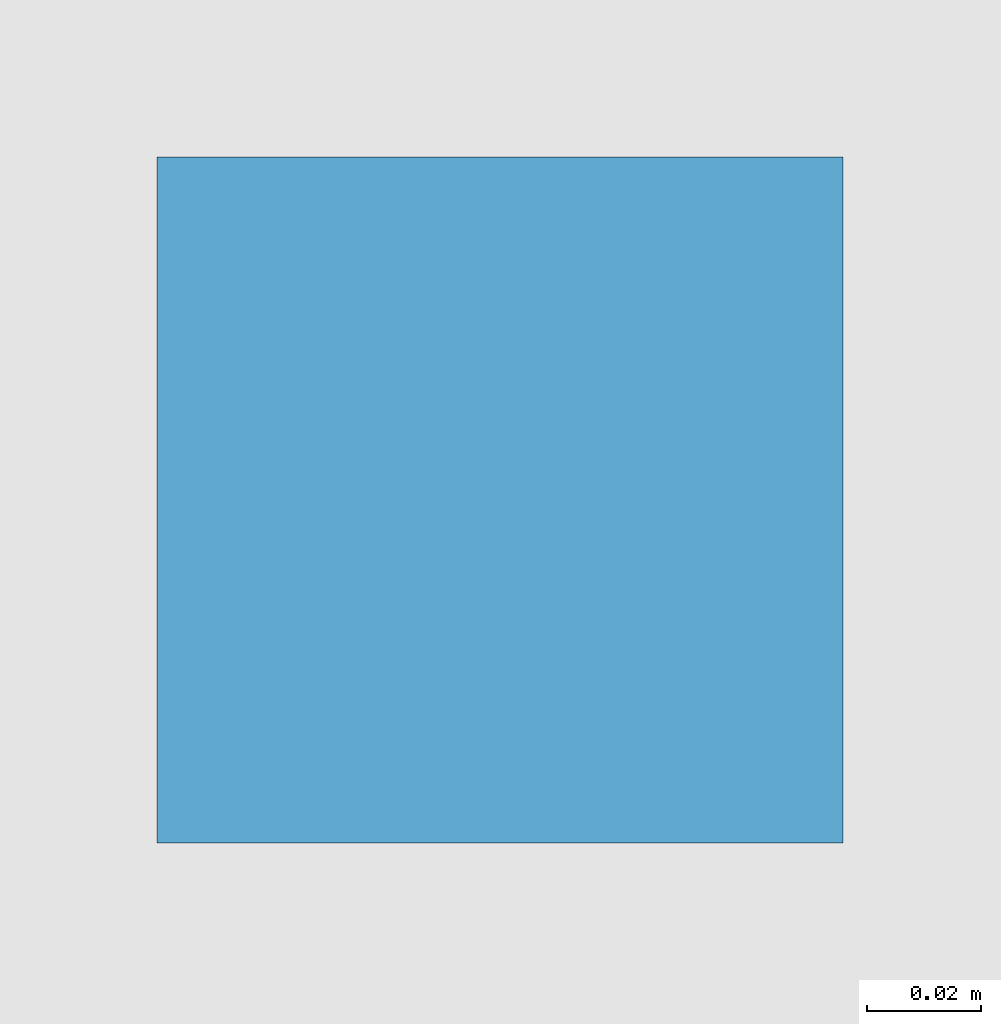
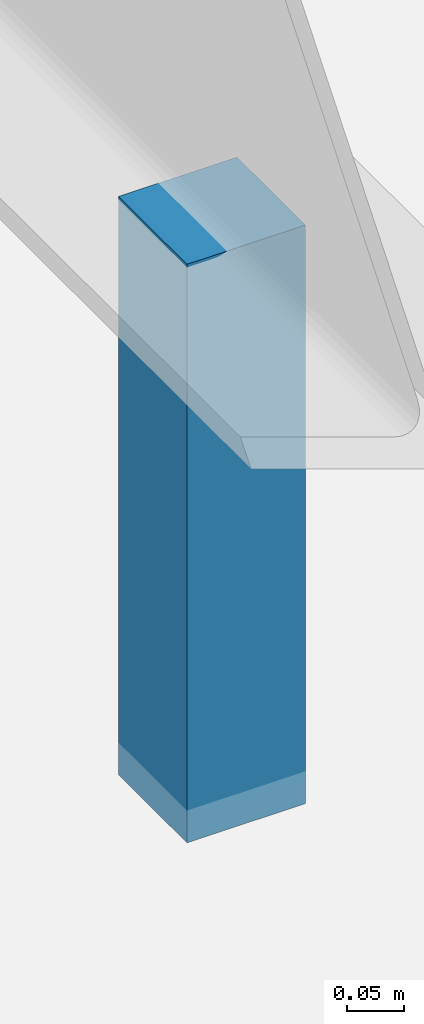
# One storey, part 67 of 103: 1 discrete accessory.
"""IFC4 building model written with IfcOpenShell, lengths in metres."""

from ifc_helpers import new_model, si_unit, direction, frame, origin, origin_2d, place, context, subcontext, project, spatial, rectangle, extrude, material, type_object, element, save


model = new_model("IFC4")

# Units and contexts
model_context = context("Model", 3, precision=1e-05, world=origin(), true_north=direction((0.0, 1.0)))
body_context = subcontext(model_context, "Body", "Model", "MODEL_VIEW")
ifc_project = project(units=[si_unit("LENGTHUNIT", "METRE"), si_unit("AREAUNIT", "SQUARE_METRE"), si_unit("VOLUMEUNIT", "CUBIC_METRE"), si_unit("PLANEANGLEUNIT", "RADIAN"), si_unit("MASSUNIT", "GRAM", prefix="KILO")], contexts=[model_context])

# Site, building, storey
site_placement = place(None, origin())
site = spatial("IfcSite", under=ifc_project, at=site_placement, CompositionType="ELEMENT")
building_placement = place(site_placement, origin())
building = spatial("IfcBuilding", under=site, at=building_placement, Name="Zlatogorsky Bluff Art Gallery", CompositionType="ELEMENT")
storey_placement = place(building_placement, origin())
storey = spatial("IfcBuildingStorey", under=building, at=storey_placement, Name="L00", CompositionType="ELEMENT", Elevation=0.0)

# Discrete accessory
ifc_material = material(Name="Steel S355", Category="steel")
discrete_accessory_type = type_object("IfcDiscreteAccessoryType", Name="Stainless Facade Fin Bracket BRK-01", PredefinedType="BRACKET", material=ifc_material)
discrete_accessory_placement = place(storey_placement, frame((12.0, 68.60498046875, 4.054931640625), z_axis=(0.0, 0.0, 1.0), x_axis=(1.0, 0.0, 0.0)))
element("IfcDiscreteAccessory", 1, at=discrete_accessory_placement, inside=storey, type_object=discrete_accessory_type, Name="Acoustic ceiling suspension hanger L00-S1", PredefinedType="BRACKET", context=body_context, shape_type="SweptSolid", body=[
    extrude(rectangle(XDim=0.1201171875, YDim=0.1201171875, at=origin_2d()), origin(), (0.0, 0.0, 1.0), 0.6201171875),
])

save(model, "model.ifc")
